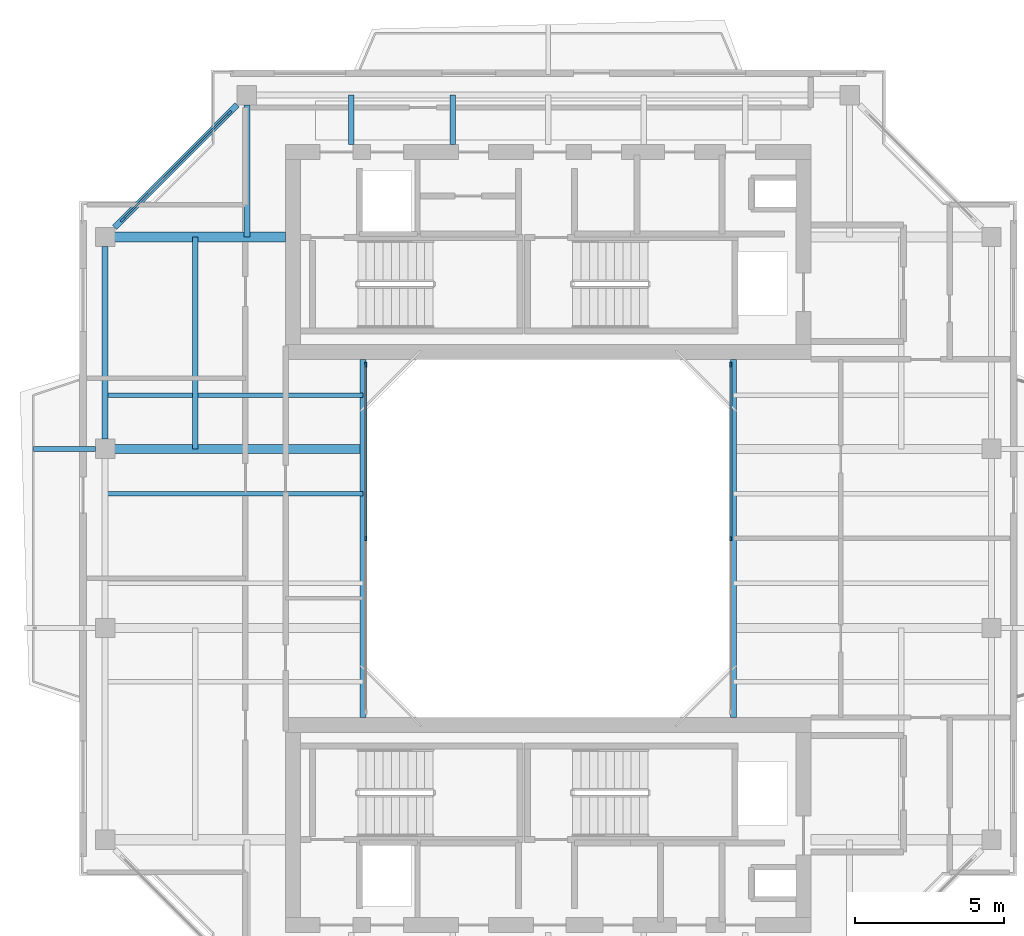
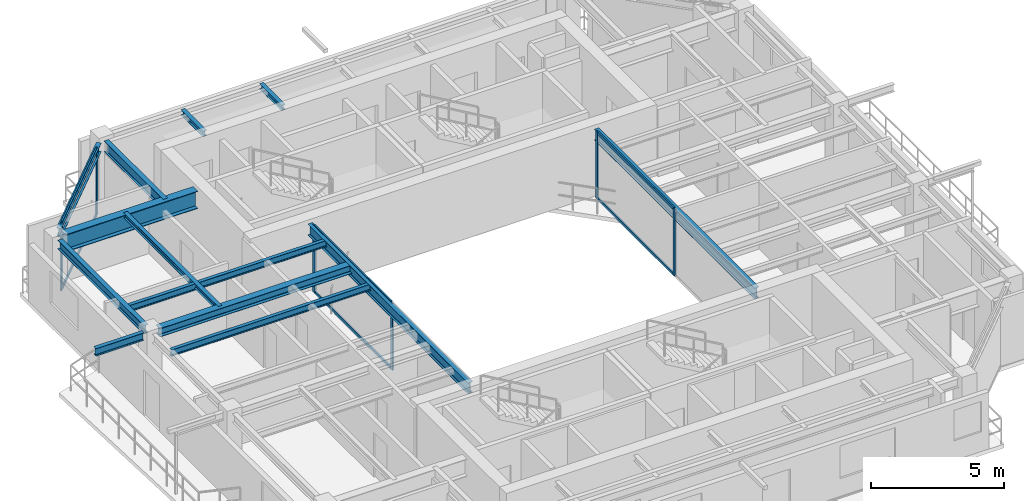
# One storey, part 5 of 14: 13 beams, 12 members, 3 elements without a shape of their own.
"""IFC4 building model written with IfcOpenShell, lengths in metres."""

from ifc_helpers import new_model, si_unit, direction, frame, origin, origin_2d, place, context, subcontext, project, spatial, rectangle, i_section, extrude, source, transform, mapped, material, layer, layer_set, material_profile, profile_set, type_object, element, aggregate, save


model = new_model("IFC4")

# Units and contexts
model_context = context("Model", 3, precision=1e-05, world=origin(), true_north=direction((0.0, 1.0)))
body_context = subcontext(model_context, "Body", "Model", "MODEL_VIEW")
ifc_project = project(units=[si_unit("LENGTHUNIT", "METRE"), si_unit("AREAUNIT", "SQUARE_METRE"), si_unit("VOLUMEUNIT", "CUBIC_METRE"), si_unit("PLANEANGLEUNIT", "RADIAN"), si_unit("MASSUNIT", "GRAM", prefix="KILO"), si_unit("THERMODYNAMICTEMPERATUREUNIT", "KELVIN"), si_unit("POWERUNIT", "WATT")], contexts=[model_context])

# Site, building, storey
site_placement = place(None, origin())
site = spatial("IfcSite", under=ifc_project, at=site_placement, CompositionType="ELEMENT")
building_placement = place(site_placement, origin())
building = spatial("IfcBuilding", under=site, at=building_placement, Name="Qiaomeng Ring Towers", CompositionType="ELEMENT")
storey_placement = place(building_placement, frame((0.0, 0.0, 240.5)))
storey = spatial("IfcBuildingStorey", under=building, at=storey_placement, Name="L70", CompositionType="ELEMENT", Elevation=240.5)

# Beams
ifc_material_1 = material(Name="Steel Q355B", Category="steel")
ifc_material_profile_1 = material_profile(ifc_material_1, i_section(OverallWidth=0.199951171875, OverallDepth=0.5, WebThickness=0.010009765625, FlangeThickness=0.01611328125, FilletRadius=0.02001953125, at=origin_2d()), Name="HN 500x200x10x16")
ifc_profile_set_1 = profile_set([ifc_material_profile_1], Name="Steel Q355B")
beam_type_1 = type_object("IfcBeamType", Name="STR-BM-HN500", PredefinedType="BEAM", material=ifc_profile_set_1)
shared_shape_1 = source(origin(), body_context, "Body", "SweptSolid", [
    extrude(i_section(OverallWidth=0.199951171875, OverallDepth=0.5, WebThickness=0.010009765625, FlangeThickness=0.01611328125, FilletRadius=0.02001953125, at=origin_2d()), origin(), (0.0, 0.0, 1.0), 12.0),
])
for number, where, z_axis, x_axis, name in (
    (1, (12.800048828125, 17.0, 2.820068359375), (0.0, 1.0, 0.0), (-1.0, 0.0, 0.0), "L70 beam STR-BM-L70-WELL-W"),
    (2, (25.199951171875, 17.0, 2.820068359375), (0.0, 1.0, 0.0), (-1.0, 0.0, 0.0), "L70 beam STR-BM-L70-WELL-E"),
):
    element("IfcBeam", number, at=place(storey_placement, frame(where, z_axis=z_axis, x_axis=x_axis)), inside=storey, type_object=beam_type_1, Name=name, PredefinedType="BEAM", context=body_context, shape_type="MappedRepresentation", body=[
        mapped(shared_shape_1, transform((0.0, 0.0, 0.0), x_axis=(1.0, 0.0, 0.0), y_axis=(0.0, 1.0, 0.0), z_axis=(0.0, 0.0, 1.0), scale=1.0)),
    ])
ifc_material_profile_2 = material_profile(ifc_material_1, i_section(OverallWidth=0.198974609375, OverallDepth=0.39599609375, WebThickness=0.007080078125, FlangeThickness=0.010986328125, FilletRadius=0.01611328125, at=origin_2d()), Name="HN 396x199x7x11")
ifc_profile_set_2 = profile_set([ifc_material_profile_2], Name="Steel Q355B")
beam_type_2 = type_object("IfcBeamType", Name="STR-BM-HN396", PredefinedType="SPANDREL", material=ifc_profile_set_2)
shared_shape_2 = source(origin(), body_context, "Body", "SweptSolid", [
    extrude(i_section(OverallWidth=0.198974609375, OverallDepth=0.39599609375, WebThickness=0.007080078125, FlangeThickness=0.010986328125, FilletRadius=0.01611328125, at=origin_2d()), origin(), (0.0, 0.0, 1.0), 5.800048828125),
])
beam_1_placement = place(storey_placement, frame((8.57568359375, 37.525634765625, 2.8720703125), z_axis=(-0.707106781187, -0.707106781187, 0.0), x_axis=(0.707106781187, -0.707106781187, 0.0)))
element("IfcBeam", 3, at=beam_1_placement, inside=storey, type_object=beam_type_2, Name="L70 beam STR-SP-L70-T1-N1-W4", PredefinedType="SPANDREL", context=body_context, shape_type="MappedRepresentation", body=[
    mapped(shared_shape_2, transform((0.0, 0.0, 0.0), x_axis=(1.0, 0.0, 0.0), y_axis=(0.0, 1.0, 0.0), z_axis=(0.0, 0.0, 1.0), scale=1.0)),
])
shared_shape_3 = source(origin(), body_context, "Body", "SweptSolid", [
    extrude(i_section(OverallWidth=0.198974609375, OverallDepth=0.39599609375, WebThickness=0.007080078125, FlangeThickness=0.010986328125, FilletRadius=0.01611328125, at=origin_2d()), origin(), (0.0, 0.0, 1.0), 6.451904296875),
])
beam_2_placement = place(storey_placement, frame((4.14990234375, 32.77587890625, 2.8720703125), z_axis=(0.0, -1.0, 0.0), x_axis=(1.0, 0.0, 0.0)))
element("IfcBeam", 4, at=beam_2_placement, inside=storey, type_object=beam_type_2, Name="L70 beam STR-SP-L70-T1-W4-W3", PredefinedType="SPANDREL", context=body_context, shape_type="MappedRepresentation", body=[
    mapped(shared_shape_3, transform((0.0, 0.0, 0.0), x_axis=(1.0, 0.0, 0.0), y_axis=(0.0, 1.0, 0.0), z_axis=(0.0, 0.0, 1.0), scale=1.0)),
])
ifc_material_2 = material(Name="Steel Q390GJC", Category="steel")
ifc_material_profile_3 = material_profile(ifc_material_2, i_section(OverallWidth=0.35009765625, OverallDepth=0.800048828125, WebThickness=0.01611328125, FlangeThickness=0.028076171875, at=origin_2d()), Name="WH 800x350x16x28")
ifc_profile_set_3 = profile_set([ifc_material_profile_3], Name="Steel Q390GJC")
beam_type_3 = type_object("IfcBeamType", Name="STR-BM-WH800", PredefinedType="BEAM", material=ifc_profile_set_3)
shared_shape_4 = source(origin(), body_context, "Body", "SweptSolid", [
    extrude(i_section(OverallWidth=0.35009765625, OverallDepth=0.800048828125, WebThickness=0.01611328125, FlangeThickness=0.028076171875, at=origin_2d()), origin(), (0.0, 0.0, 1.0), 5.725830078125),
])
beam_3_placement = place(storey_placement, frame((4.47412109375, 33.10009765625, 2.669921875), z_axis=(1.0, 0.0, 0.0), x_axis=(0.0, 1.0, 0.0)))
element("IfcBeam", 5, at=beam_3_placement, inside=storey, type_object=beam_type_3, Name="L70 beam STR-BM-L70-T1-RAD-W4", PredefinedType="BEAM", context=body_context, shape_type="MappedRepresentation", body=[
    mapped(shared_shape_4, transform((0.0, 0.0, 0.0), x_axis=(1.0, 0.0, 0.0), y_axis=(0.0, 1.0, 0.0), z_axis=(0.0, 0.0, 1.0), scale=1.0)),
])
ifc_material_profile_4 = material_profile(ifc_material_1, i_section(OverallWidth=0.198974609375, OverallDepth=0.49609375, WebThickness=0.009033203125, FlangeThickness=0.013916015625, FilletRadius=0.01806640625, at=origin_2d()), Name="HN 496x199x9x14")
ifc_profile_set_4 = profile_set([ifc_material_profile_4], Name="Steel Q355B")
beam_type_4 = type_object("IfcBeamType", Name="STR-BM-HN496", PredefinedType="BEAM", material=ifc_profile_set_4)
shared_shape_5 = source(origin(), body_context, "Body", "SweptSolid", [
    extrude(i_section(OverallWidth=0.198974609375, OverallDepth=0.49609375, WebThickness=0.009033203125, FlangeThickness=0.013916015625, FilletRadius=0.01806640625, at=origin_2d()), origin(), (0.0, 0.0, 1.0), 4.42578125),
])
beam_4_placement = place(storey_placement, frame((8.89990234375, 37.52587890625, 2.822021484375), z_axis=(0.0, -1.0, 0.0), x_axis=(1.0, 0.0, 0.0)))
element("IfcBeam", 6, at=beam_4_placement, inside=storey, type_object=beam_type_4, Name="L70 beam STR-BM-L70-T1-RAD-N1", PredefinedType="BEAM", context=body_context, shape_type="MappedRepresentation", body=[
    mapped(shared_shape_5, transform((0.0, 0.0, 0.0), x_axis=(1.0, 0.0, 0.0), y_axis=(0.0, 1.0, 0.0), z_axis=(0.0, 0.0, 1.0), scale=1.0)),
])
ifc_material_profile_5 = material_profile(ifc_material_1, i_section(OverallWidth=0.300048828125, OverallDepth=0.389892578125, WebThickness=0.010009765625, FlangeThickness=0.01611328125, FilletRadius=0.02197265625, at=origin_2d()), Name="HM 390x300x10x16")
ifc_profile_set_5 = profile_set([ifc_material_profile_5], Name="Steel Q355B")
beam_type_5 = type_object("IfcBeamType", Name="STR-BM-HM390", PredefinedType="BEAM", material=ifc_profile_set_5)
shared_shape_6 = source(origin(), body_context, "Body", "SweptSolid", [
    extrude(i_section(OverallWidth=0.300048828125, OverallDepth=0.389892578125, WebThickness=0.010009765625, FlangeThickness=0.01611328125, FilletRadius=0.02197265625, at=origin_2d()), origin(), (0.0, 0.0, 1.0), 8.325927734375),
])
beam_5_placement = place(storey_placement, frame((4.47412109375, 26.0, 2.875), z_axis=(1.0, 0.0, 0.0), x_axis=(0.0, 1.0, 0.0)))
element("IfcBeam", 7, at=beam_5_placement, inside=storey, type_object=beam_type_5, Name="L70 beam STR-BM-L70-T1-RAD-W3", PredefinedType="BEAM", context=body_context, shape_type="MappedRepresentation", body=[
    mapped(shared_shape_6, transform((0.0, 0.0, 0.0), x_axis=(1.0, 0.0, 0.0), y_axis=(0.0, 1.0, 0.0), z_axis=(0.0, 0.0, 1.0), scale=1.0)),
])
ifc_material_profile_6 = material_profile(ifc_material_1, i_section(OverallWidth=0.175048828125, OverallDepth=0.35009765625, WebThickness=0.007080078125, FlangeThickness=0.010986328125, FilletRadius=0.013916015625, at=origin_2d()), Name="HN 350x175x7x11")
ifc_profile_set_6 = profile_set([ifc_material_profile_6], Name="Steel Q355B")
beam_type_6 = type_object("IfcBeamType", Name="STR-BM-HN350", PredefinedType="JOIST", material=ifc_profile_set_6)
shared_shape_7 = source(origin(), body_context, "Body", "SweptSolid", [
    extrude(i_section(OverallWidth=0.175048828125, OverallDepth=0.35009765625, WebThickness=0.007080078125, FlangeThickness=0.010986328125, FilletRadius=0.013916015625, at=origin_2d()), origin(), (0.0, 0.0, 1.0), 2.075927734375),
])
beam_6_placement = place(storey_placement, frame((1.75, 26.0, 2.89501953125), z_axis=(1.0, 0.0, 0.0), x_axis=(0.0, 1.0, 0.0)))
element("IfcBeam", 8, at=beam_6_placement, inside=storey, type_object=beam_type_6, Name="L70 beam STR-BALBM-L70-W3", PredefinedType="JOIST", context=body_context, shape_type="MappedRepresentation", body=[
    mapped(shared_shape_7, transform((0.0, 0.0, 0.0), x_axis=(1.0, 0.0, 0.0), y_axis=(0.0, 1.0, 0.0), z_axis=(0.0, 0.0, 1.0), scale=1.0)),
])
ifc_material_profile_7 = material_profile(ifc_material_1, i_section(OverallWidth=0.175048828125, OverallDepth=0.243896484375, WebThickness=0.007080078125, FlangeThickness=0.010986328125, FilletRadius=0.01611328125, at=origin_2d()), Name="HM 244x175x7x11")
ifc_profile_set_7 = profile_set([ifc_material_profile_7], Name="Steel Q355B")
beam_type_7 = type_object("IfcBeamType", Name="STR-BM-HM244", PredefinedType="JOIST", material=ifc_profile_set_7)
shared_shape_8 = source(origin(), body_context, "Body", "SweptSolid", [
    extrude(i_section(OverallWidth=0.175048828125, OverallDepth=0.243896484375, WebThickness=0.007080078125, FlangeThickness=0.010986328125, FilletRadius=0.01611328125, at=origin_2d()), origin(), (0.0, 0.0, 1.0), 1.650146484375),
])
for number, where, z_axis, x_axis, name in (
    (9, (12.39990234375, 36.199951171875, 2.947998046875), (0.0, 1.0, 0.0), (-1.0, 0.0, 0.0), "L70 beam STR-JST-L70-T1N-1"),
    (10, (15.800048828125, 36.199951171875, 2.947998046875), (0.0, 1.0, 0.0), (-1.0, 0.0, 0.0), "L70 beam STR-JST-L70-T1N-2"),
):
    element("IfcBeam", number, at=place(storey_placement, frame(where, z_axis=z_axis, x_axis=x_axis)), inside=storey, type_object=beam_type_7, Name=name, PredefinedType="JOIST", context=body_context, shape_type="MappedRepresentation", body=[
        mapped(shared_shape_8, transform((0.0, 0.0, 0.0), x_axis=(1.0, 0.0, 0.0), y_axis=(0.0, 1.0, 0.0), z_axis=(0.0, 0.0, 1.0), scale=1.0)),
    ])
ifc_material_profile_8 = material_profile(ifc_material_1, i_section(OverallWidth=0.14990234375, OverallDepth=0.300048828125, WebThickness=0.006591796875, FlangeThickness=0.009033203125, FilletRadius=0.012939453125, at=origin_2d()), Name="HN 300x150x6.5x9")
ifc_profile_set_8 = profile_set([ifc_material_profile_8], Name="Steel Q355B")
beam_type_8 = type_object("IfcBeamType", Name="STR-BM-HN300", PredefinedType="JOIST", material=ifc_profile_set_8)
shared_shape_9 = source(origin(), body_context, "Body", "SweptSolid", [
    extrude(i_section(OverallWidth=0.14990234375, OverallDepth=0.300048828125, WebThickness=0.006591796875, FlangeThickness=0.009033203125, FilletRadius=0.012939453125, at=origin_2d()), origin(), (0.0, 0.0, 1.0), 8.650146484375),
])
for number, where, z_axis, x_axis, name in (
    (11, (4.14990234375, 24.5, 2.919921875), (1.0, 0.0, 0.0), (0.0, 1.0, 0.0), "L70 beam STR-JST-L70-T1W-3"),
    (12, (4.14990234375, 27.800048828125, 2.919921875), (1.0, 0.0, 0.0), (0.0, 1.0, 0.0), "L70 beam STR-JST-L70-T1W-4"),
):
    element("IfcBeam", number, at=place(storey_placement, frame(where, z_axis=z_axis, x_axis=x_axis)), inside=storey, type_object=beam_type_8, Name=name, PredefinedType="JOIST", context=body_context, shape_type="MappedRepresentation", body=[
        mapped(shared_shape_9, transform((0.0, 0.0, 0.0), x_axis=(1.0, 0.0, 0.0), y_axis=(0.0, 1.0, 0.0), z_axis=(0.0, 0.0, 1.0), scale=1.0)),
    ])
shared_shape_10 = source(origin(), body_context, "Body", "SweptSolid", [
    extrude(i_section(OverallWidth=0.175048828125, OverallDepth=0.243896484375, WebThickness=0.007080078125, FlangeThickness=0.010986328125, FilletRadius=0.01611328125, at=origin_2d()), origin(), (0.0, 0.0, 1.0), 7.10009765625),
])
beam_7_placement = place(storey_placement, frame((7.175048828125, 26.0, 2.947998046875), z_axis=(0.0, 1.0, 0.0), x_axis=(-1.0, 0.0, 0.0)))
element("IfcBeam", 13, at=beam_7_placement, inside=storey, type_object=beam_type_7, Name="L70 beam STR-JST-L70-T1C-WN", PredefinedType="JOIST", context=body_context, shape_type="MappedRepresentation", body=[
    mapped(shared_shape_10, transform((0.0, 0.0, 0.0), x_axis=(1.0, 0.0, 0.0), y_axis=(0.0, 1.0, 0.0), z_axis=(0.0, 0.0, 1.0), scale=1.0)),
])

# Curtain wall, members
ifc_material_3 = material(Name="Fluorocarbon dark-grey aluminium", Category="aluminium")
ifc_layer_1 = layer(ifc_material_3, 0.139892578125, Name="Fluorocarbon dark-grey aluminium")
ifc_layer_set_1 = layer_set([ifc_layer_1], Name="Fluorocarbon dark-grey aluminium")
curtain_wall_type_1 = type_object("IfcCurtainWallType", Name="ARC-CW-4", PredefinedType="NOTDEFINED", material=ifc_layer_set_1)
curtain_wall_1_placement = place(storey_placement, origin())
curtain_wall_1 = element("IfcCurtainWall", 14, at=curtain_wall_1_placement, inside=storey, type_object=curtain_wall_type_1, Name="L70 Curtain Wall CW4", PredefinedType="NOTDEFINED")
ifc_material_profile_9 = material_profile(ifc_material_3, rectangle(XDim=0.06494140625, YDim=0.159912109375, at=origin_2d()), Name="ALU MULL 65x160")
ifc_profile_set_9 = profile_set([ifc_material_profile_9], Name="Fluorocarbon dark-grey aluminium")
member_type_1 = type_object("IfcMemberType", Name="ARC-CWM-140", PredefinedType="MULLION", material=ifc_profile_set_9)
shared_shape_11 = source(origin(), body_context, "Body", "SweptSolid", [
    extrude(rectangle(XDim=0.06494140625, YDim=0.159912109375, at=origin_2d()), origin(), (0.0, 0.0, 1.0), 3.070068359375),
])
member_1_placement = place(storey_placement, frame((12.8798828125, 23.0, 0.0), z_axis=(0.0, 0.0, 1.0), x_axis=(-1.0, 0.0, 0.0)))
member_1 = element("IfcMember", 15, at=member_1_placement, type_object=member_type_1, Name="CW4 mullion 2", PredefinedType="MULLION", context=body_context, shape_type="MappedRepresentation", body=[
    mapped(shared_shape_11, transform((0.0, 0.0, 0.0), x_axis=(1.0, 0.0, 0.0), y_axis=(0.0, 1.0, 0.0), z_axis=(0.0, 0.0, 1.0), scale=1.0)),
])
member_2_placement = place(storey_placement, frame((12.8798828125, 28.8173828125, 0.0), z_axis=(0.0, 0.0, 1.0), x_axis=(-1.0, 0.0, 0.0)))
member_2 = element("IfcMember", 16, at=member_2_placement, type_object=member_type_1, Name="CW4 mullion 3", PredefinedType="MULLION", context=body_context, shape_type="MappedRepresentation", body=[
    mapped(shared_shape_11, transform((0.0, 0.0, 0.0), x_axis=(1.0, 0.0, 0.0), y_axis=(0.0, 1.0, 0.0), z_axis=(0.0, 0.0, 1.0), scale=1.0)),
])

curtain_wall_2_placement = place(storey_placement, origin())
curtain_wall_2 = element("IfcCurtainWall", 17, at=curtain_wall_2_placement, inside=storey, type_object=curtain_wall_type_1, Name="L70 Curtain Wall CW4", PredefinedType="NOTDEFINED")
member_3_placement = place(storey_placement, frame((25.1201171875, 23.0, 0.0), z_axis=(0.0, 0.0, 1.0), x_axis=(-1.0, 0.0, 0.0)))
member_3 = element("IfcMember", 18, at=member_3_placement, type_object=member_type_1, Name="CW4 mullion 2", PredefinedType="MULLION", context=body_context, shape_type="MappedRepresentation", body=[
    mapped(shared_shape_11, transform((0.0, 0.0, 0.0), x_axis=(1.0, 0.0, 0.0), y_axis=(0.0, 1.0, 0.0), z_axis=(0.0, 0.0, 1.0), scale=1.0)),
])
member_4_placement = place(storey_placement, frame((25.1201171875, 28.8173828125, 0.0), z_axis=(0.0, 0.0, 1.0), x_axis=(-1.0, 0.0, 0.0)))
member_4 = element("IfcMember", 19, at=member_4_placement, type_object=member_type_1, Name="CW4 mullion 3", PredefinedType="MULLION", context=body_context, shape_type="MappedRepresentation", body=[
    mapped(shared_shape_11, transform((0.0, 0.0, 0.0), x_axis=(1.0, 0.0, 0.0), y_axis=(0.0, 1.0, 0.0), z_axis=(0.0, 0.0, 1.0), scale=1.0)),
])

# Member
ifc_material_profile_10 = material_profile(ifc_material_3, rectangle(XDim=0.06494140625, YDim=0.1298828125, at=origin_2d()), Name="ALU TRAN 65x130")
ifc_profile_set_10 = profile_set([ifc_material_profile_10], Name="Fluorocarbon dark-grey aluminium")
member_type_2 = type_object("IfcMemberType", Name="ARC-CWT-120", PredefinedType="USERDEFINED", material=ifc_profile_set_10)
shared_shape_12 = source(origin(), body_context, "Body", "SweptSolid", [
    extrude(rectangle(XDim=0.06494140625, YDim=0.1298828125, at=origin_2d()), origin(), (0.0, 0.0, 1.0), 5.75244140625),
])
member_5_placement = place(storey_placement, frame((12.8798828125, 23.032470703125, 0.032470703125), z_axis=(0.0, 1.0, 0.0), x_axis=(-1.0, 0.0, 0.0)))
member_5 = element("IfcMember", 20, at=member_5_placement, type_object=member_type_2, Name="CW4 transom 2.1", ObjectType="TRANSOM", PredefinedType="USERDEFINED", context=body_context, shape_type="MappedRepresentation", body=[
    mapped(shared_shape_12, transform((0.0, 0.0, 0.0), x_axis=(1.0, 0.0, 0.0), y_axis=(0.0, 1.0, 0.0), z_axis=(0.0, 0.0, 1.0), scale=1.0)),
])

member_6_placement = place(storey_placement, frame((12.8798828125, 23.032470703125, 3.03759765625), z_axis=(0.0, 1.0, 0.0), x_axis=(-1.0, 0.0, 0.0)))
member_6 = element("IfcMember", 21, at=member_6_placement, type_object=member_type_2, Name="CW4 transom 2.2", ObjectType="TRANSOM", PredefinedType="USERDEFINED", context=body_context, shape_type="MappedRepresentation", body=[
    mapped(shared_shape_12, transform((0.0, 0.0, 0.0), x_axis=(1.0, 0.0, 0.0), y_axis=(0.0, 1.0, 0.0), z_axis=(0.0, 0.0, 1.0), scale=1.0)),
])

aggregate(curtain_wall_1, [member_1, member_2, member_5, member_6])

member_7_placement = place(storey_placement, frame((25.1201171875, 23.032470703125, 0.032470703125), z_axis=(0.0, 1.0, 0.0), x_axis=(-1.0, 0.0, 0.0)))
member_7 = element("IfcMember", 22, at=member_7_placement, type_object=member_type_2, Name="CW4 transom 2.1", ObjectType="TRANSOM", PredefinedType="USERDEFINED", context=body_context, shape_type="MappedRepresentation", body=[
    mapped(shared_shape_12, transform((0.0, 0.0, 0.0), x_axis=(1.0, 0.0, 0.0), y_axis=(0.0, 1.0, 0.0), z_axis=(0.0, 0.0, 1.0), scale=1.0)),
])

member_8_placement = place(storey_placement, frame((25.1201171875, 23.032470703125, 3.03759765625), z_axis=(0.0, 1.0, 0.0), x_axis=(-1.0, 0.0, 0.0)))
member_8 = element("IfcMember", 23, at=member_8_placement, type_object=member_type_2, Name="CW4 transom 2.2", ObjectType="TRANSOM", PredefinedType="USERDEFINED", context=body_context, shape_type="MappedRepresentation", body=[
    mapped(shared_shape_12, transform((0.0, 0.0, 0.0), x_axis=(1.0, 0.0, 0.0), y_axis=(0.0, 1.0, 0.0), z_axis=(0.0, 0.0, 1.0), scale=1.0)),
])

aggregate(curtain_wall_2, [member_3, member_4, member_7, member_8])

# Curtain wall, members
ifc_layer_2 = layer(ifc_material_3, 0.14990234375, Name="Fluorocarbon dark-grey aluminium")
ifc_layer_set_2 = layer_set([ifc_layer_2], Name="Fluorocarbon dark-grey aluminium")
curtain_wall_type_2 = type_object("IfcCurtainWallType", Name="ARC-CW-3", PredefinedType="NOTDEFINED", material=ifc_layer_set_2)
curtain_wall_3_placement = place(storey_placement, origin())
curtain_wall_3 = element("IfcCurtainWall", 24, at=curtain_wall_3_placement, inside=storey, type_object=curtain_wall_type_2, Name="L70 Curtain Wall CW3", PredefinedType="NOTDEFINED")
ifc_material_profile_11 = material_profile(ifc_material_3, rectangle(XDim=0.070068359375, YDim=0.179931640625, at=origin_2d()), Name="ALU MULL 70x180")
ifc_profile_set_11 = profile_set([ifc_material_profile_11], Name="Fluorocarbon dark-grey aluminium")
member_type_3 = type_object("IfcMemberType", Name="ARC-CWM-160", PredefinedType="MULLION", material=ifc_profile_set_11)
shared_shape_13 = source(origin(), body_context, "Body", "SweptSolid", [
    extrude(rectangle(XDim=0.070068359375, YDim=0.179931640625, at=origin_2d()), origin(), (0.0, 0.0, 1.0), 3.070068359375),
])
member_9_placement = place(storey_placement, frame((8.310302734375, 37.26025390625, 0.0), z_axis=(0.0, 0.0, 1.0), x_axis=(0.707106781187, -0.707106781187, 0.0)))
member_9 = element("IfcMember", 25, at=member_9_placement, type_object=member_type_3, Name="CW3 mullion 1", PredefinedType="MULLION", context=body_context, shape_type="MappedRepresentation", body=[
    mapped(shared_shape_13, transform((0.0, 0.0, 0.0), x_axis=(1.0, 0.0, 0.0), y_axis=(0.0, 1.0, 0.0), z_axis=(0.0, 0.0, 1.0), scale=1.0)),
])
member_10_placement = place(storey_placement, frame((4.73974609375, 33.689697265625, 0.0), z_axis=(0.0, 0.0, 1.0), x_axis=(0.707106781187, -0.707106781187, 0.0)))
member_10 = element("IfcMember", 26, at=member_10_placement, type_object=member_type_3, Name="CW3 mullion 2", PredefinedType="MULLION", context=body_context, shape_type="MappedRepresentation", body=[
    mapped(shared_shape_13, transform((0.0, 0.0, 0.0), x_axis=(1.0, 0.0, 0.0), y_axis=(0.0, 1.0, 0.0), z_axis=(0.0, 0.0, 1.0), scale=1.0)),
])
shared_shape_14 = source(origin(), body_context, "Body", "SweptSolid", [
    extrude(rectangle(XDim=0.06494140625, YDim=0.1298828125, at=origin_2d()), origin(), (0.0, 0.0, 1.0), 4.9794921875),
])
member_11_placement = place(storey_placement, frame((8.285400390625, 37.235595703125, 0.032470703125), z_axis=(-0.707106781187, -0.707106781187, 0.0), x_axis=(0.707106781187, -0.707106781187, 0.0)))
member_11 = element("IfcMember", 27, at=member_11_placement, type_object=member_type_2, Name="CW3 transom 1.1", ObjectType="TRANSOM", PredefinedType="USERDEFINED", context=body_context, shape_type="MappedRepresentation", body=[
    mapped(shared_shape_14, transform((0.0, 0.0, 0.0), x_axis=(1.0, 0.0, 0.0), y_axis=(0.0, 1.0, 0.0), z_axis=(0.0, 0.0, 1.0), scale=1.0)),
])
member_12_placement = place(storey_placement, frame((8.285400390625, 37.235595703125, 3.03759765625), z_axis=(-0.707106781187, -0.707106781187, 0.0), x_axis=(0.707106781187, -0.707106781187, 0.0)))
member_12 = element("IfcMember", 28, at=member_12_placement, type_object=member_type_2, Name="CW3 transom 1.2", ObjectType="TRANSOM", PredefinedType="USERDEFINED", context=body_context, shape_type="MappedRepresentation", body=[
    mapped(shared_shape_14, transform((0.0, 0.0, 0.0), x_axis=(1.0, 0.0, 0.0), y_axis=(0.0, 1.0, 0.0), z_axis=(0.0, 0.0, 1.0), scale=1.0)),
])
aggregate(curtain_wall_3, [member_9, member_10, member_11, member_12])

save(model, "model.ifc")
